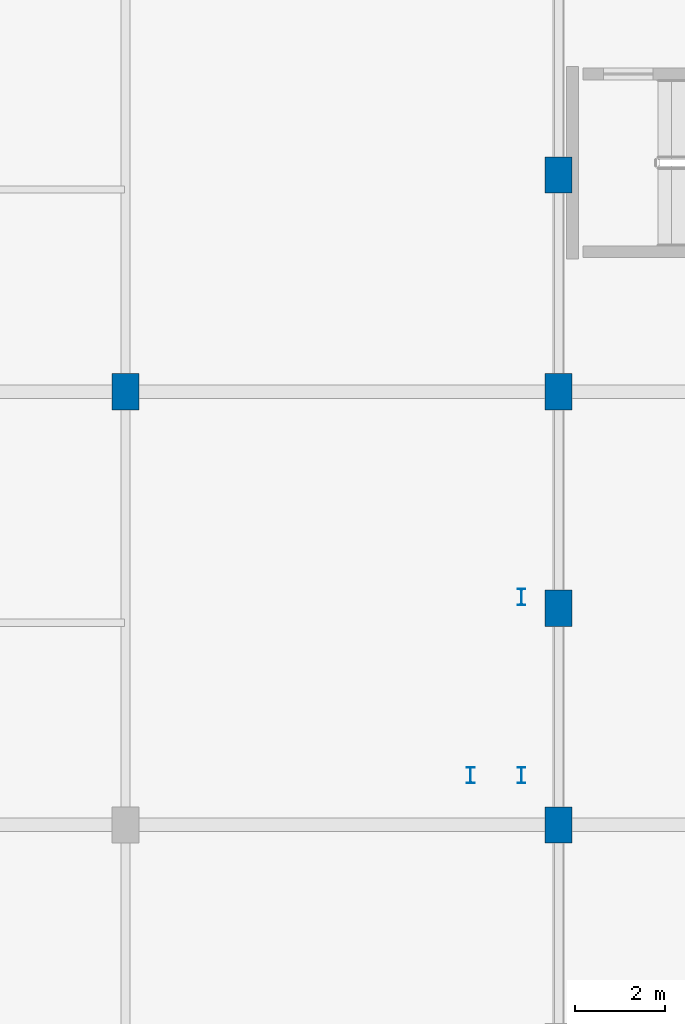
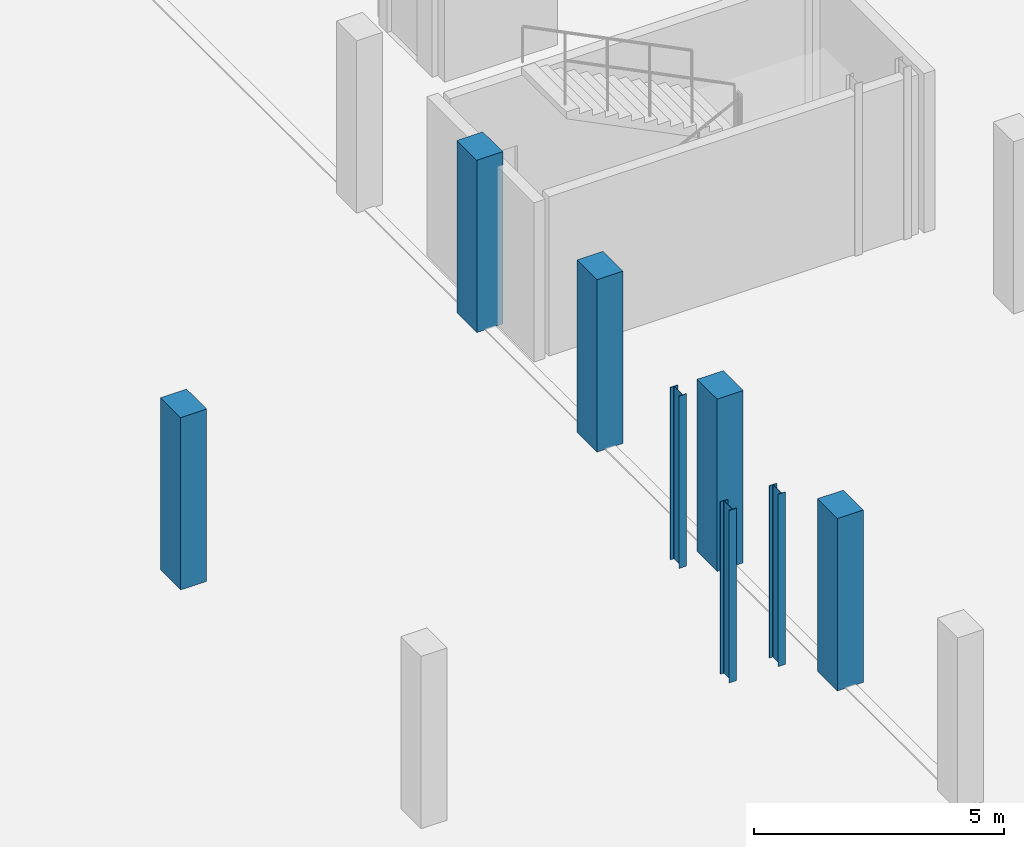
# One storey, part 4 of 47: 8 columns.
"""IFC4 building model written with IfcOpenShell, lengths in metres."""

from ifc_helpers import new_model, si_unit, direction, frame, origin, origin_2d, place, context, subcontext, project, spatial, rectangle, i_section, extrude, material, material_profile, profile_set, type_object, element, save


model = new_model("IFC4")

# Units and contexts
model_context = context("Model", 3, precision=1e-05, world=origin(), true_north=direction((0.0, 1.0)))
body_context = subcontext(model_context, "Body", "Model", "MODEL_VIEW")
ifc_project = project(units=[si_unit("LENGTHUNIT", "METRE"), si_unit("AREAUNIT", "SQUARE_METRE"), si_unit("VOLUMEUNIT", "CUBIC_METRE"), si_unit("PLANEANGLEUNIT", "RADIAN"), si_unit("MASSUNIT", "GRAM", prefix="KILO")], contexts=[model_context])

# Site, building, storey
site_placement = place(None, origin())
site = spatial("IfcSite", under=ifc_project, at=site_placement, CompositionType="ELEMENT")
building_placement = place(site_placement, origin())
building = spatial("IfcBuilding", under=site, at=building_placement, Name="Zevrakil Square Congress Hotel", CompositionType="ELEMENT")
storey_placement = place(building_placement, frame((0.0, 0.0, -4.199951171875)))
storey = spatial("IfcBuildingStorey", under=building, at=storey_placement, Name="B1", CompositionType="ELEMENT", Elevation=-4.199951171875)

# Columns
ifc_material_1 = material(Name="Steel S355", Category="steel")
ifc_material_profile_1 = material_profile(ifc_material_1, i_section(OverallWidth=0.169921875, OverallDepth=0.360107421875, WebThickness=0.008056640625, FlangeThickness=0.0126953125, FilletRadius=0.01806640625, at=origin_2d()), Name="IPE 360")
ifc_profile_set_1 = profile_set([ifc_material_profile_1], Name="Steel S355")
column_type_1 = type_object("IfcColumnType", Name="COL-PILASTER-SHS180", PredefinedType="PILASTER", material=ifc_profile_set_1)
for number, where, z_axis, x_axis, name in (
    (1, (53.25, 27.5, 0.0), (0.0, 0.0, 1.0), (1.0, 0.0, 0.0), "B1 ST13 stair shaft post 1"),
    (2, (54.3798828125, 27.5, 0.0), (0.0, 0.0, 1.0), (1.0, 0.0, 0.0), "B1 ST13 stair shaft post 2"),
    (3, (54.3798828125, 31.449951171875, 0.0), (0.0, 0.0, 1.0), (1.0, 0.0, 0.0), "B1 ST13 stair shaft post 3"),
):
    element("IfcColumn", number, at=place(storey_placement, frame(where, z_axis=z_axis, x_axis=x_axis)), inside=storey, type_object=column_type_1, Name=name, PredefinedType="PILASTER", context=body_context, shape_type="SweptSolid", body=[
        extrude(i_section(OverallWidth=0.169921875, OverallDepth=0.360107421875, WebThickness=0.008056640625, FlangeThickness=0.0126953125, FilletRadius=0.01806640625, at=origin_2d()), origin(), (0.0, 0.0, 1.0), 4.199951171875),
    ])
ifc_material_2 = material(Name="Concrete C40/50", Category="concrete")
ifc_material_profile_2 = material_profile(ifc_material_2, rectangle(XDim=0.60009765625, YDim=0.800048828125, at=origin_2d()), Name="RC 600x800")
ifc_profile_set_2 = profile_set([ifc_material_profile_2], Name="Concrete C40/50")
column_type_2 = type_object("IfcColumnType", Name="COL-RC600x800", PredefinedType="COLUMN", material=ifc_profile_set_2)
for number, where, z_axis, x_axis, name in (
    (4, (45.60009765625, 36.0, 0.0), (0.0, 0.0, 1.0), (1.0, 0.0, 0.0), "B1 column C-071"),
    (5, (55.199951171875, 26.39990234375, 0.0), (0.0, 0.0, 1.0), (1.0, 0.0, 0.0), "B1 column C-086"),
    (6, (55.199951171875, 31.199951171875, 0.0), (0.0, 0.0, 1.0), (1.0, 0.0, 0.0), "B1 column C-087"),
    (7, (55.199951171875, 36.0, 0.0), (0.0, 0.0, 1.0), (1.0, 0.0, 0.0), "B1 column C-088"),
    (8, (55.199951171875, 40.800048828125, 0.0), (0.0, 0.0, 1.0), (1.0, 0.0, 0.0), "B1 column C-089"),
):
    element("IfcColumn", number, at=place(storey_placement, frame(where, z_axis=z_axis, x_axis=x_axis)), inside=storey, type_object=column_type_2, Name=name, PredefinedType="COLUMN", context=body_context, shape_type="SweptSolid", body=[
        extrude(rectangle(XDim=0.60009765625, YDim=0.800048828125, at=origin_2d()), origin(), (0.0, 0.0, 1.0), 4.199951171875),
    ])

save(model, "model.ifc")
